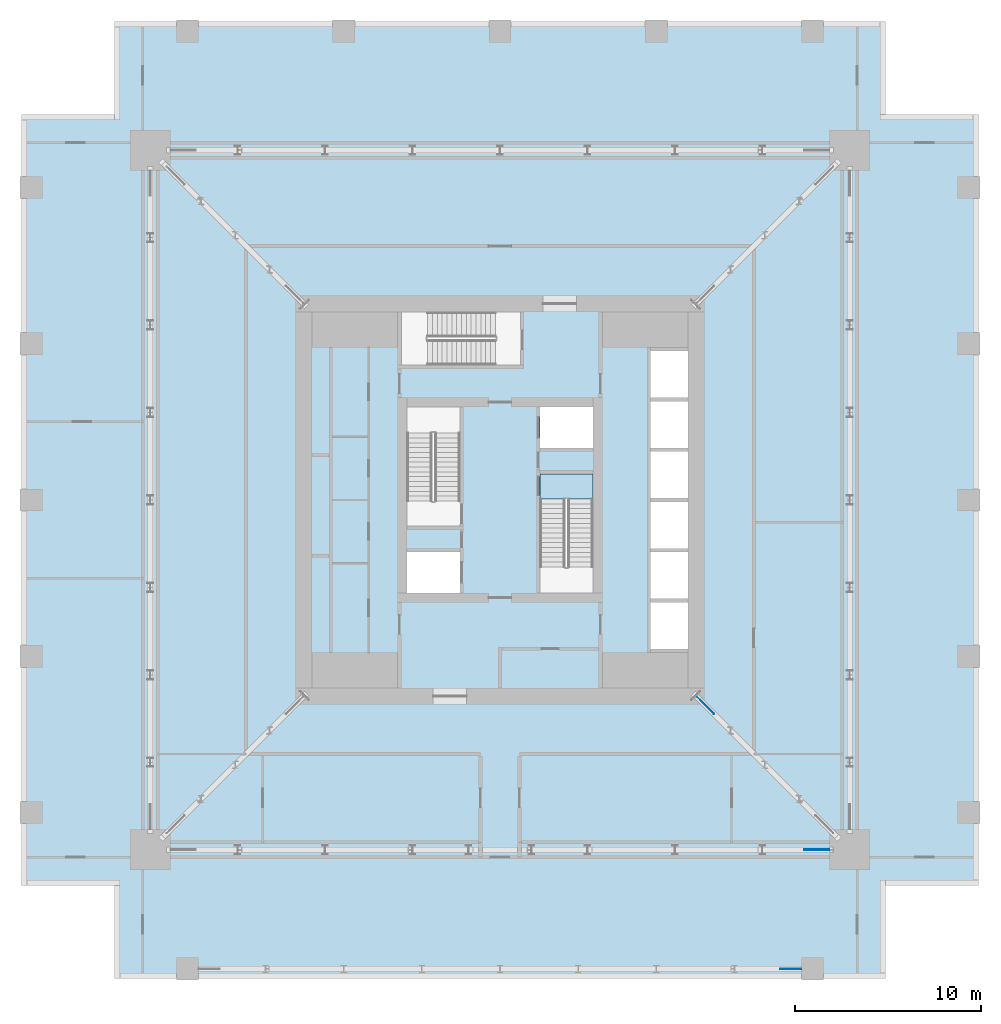
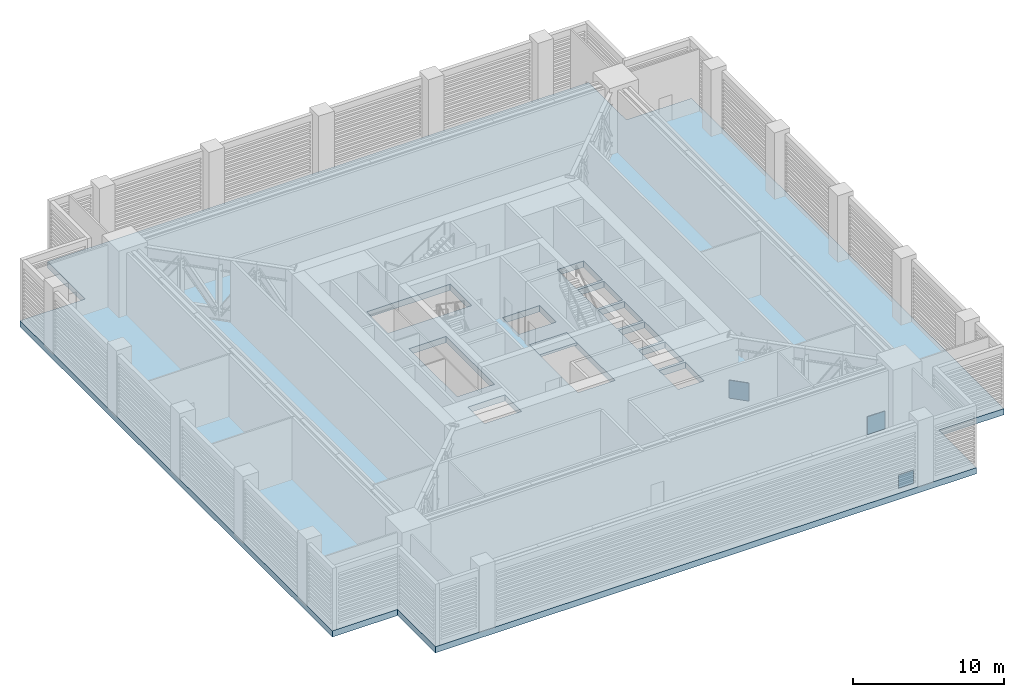
# One storey, part 6 of 16: 3 plates, 2 slabs, 1 element without a shape of its own.
"""IFC4 building model written with IfcOpenShell, lengths in metres."""

from ifc_helpers import new_model, si_unit, direction, frame, origin, origin_2d, place, context, subcontext, project, spatial, polyline, rectangle, outline, extrude, material, layer, layer_set, type_object, element, aggregate, save


model = new_model("IFC4")

# Units and contexts
model_context = context("Model", 3, precision=1e-05, world=origin(), true_north=direction((0.0, 1.0)))
body_context = subcontext(model_context, "Body", "Model", "MODEL_VIEW")
ifc_project = project(units=[si_unit("LENGTHUNIT", "METRE"), si_unit("AREAUNIT", "SQUARE_METRE"), si_unit("VOLUMEUNIT", "CUBIC_METRE"), si_unit("PLANEANGLEUNIT", "RADIAN"), si_unit("MASSUNIT", "GRAM", prefix="KILO")], contexts=[model_context])

# Site, building, storey
site_placement = place(None, origin())
site = spatial("IfcSite", under=ifc_project, at=site_placement, CompositionType="ELEMENT")
building_placement = place(site_placement, origin())
building = spatial("IfcBuilding", under=site, at=building_placement, Name="Khepri Terraces", CompositionType="ELEMENT")
storey_placement = place(building_placement, frame((0.0, 0.0, 287.39990234375)))
storey = spatial("IfcBuildingStorey", under=building, at=storey_placement, Name="L69", CompositionType="ELEMENT", Elevation=287.39990234375)

# Plates
ifc_material_1 = material(Name="Steel S355", Category="steel")
ifc_layer_1 = layer(ifc_material_1, 0.030029296875, Name="Steel S355", Category="steel")
ifc_layer_set_1 = layer_set([ifc_layer_1], Name="Steel S355")
plate_type_1 = type_object("IfcPlateType", Name="Gusset plate 1150x1150x30", PredefinedType="USERDEFINED", material=ifc_layer_set_1)
plate_placement = place(storey_placement, frame((15.625, -25.199951171875, -0.099853515625), z_axis=(0.0, 0.0, 1.0), x_axis=(1.0, 0.0, 0.0)))
element("IfcPlate", 1, at=plate_placement, inside=storey, type_object=plate_type_1, Name="GUSSET PLATE TT-69-S column node B", ObjectType="GUSSET PLATE", PredefinedType="USERDEFINED", context=body_context, shape_type="SweptSolid", body=[
    extrude(rectangle(XDim=1.14990234375, YDim=0.030029296875, at=origin_2d()), origin(), (0.0, 0.0, 1.0), 1.14990234375),
])
ifc_layer_2 = layer(ifc_material_1, 0.034912109375, Name="Steel S355", Category="steel")
ifc_layer_set_2 = layer_set([ifc_layer_2], Name="Steel S355")
plate_type_2 = type_object("IfcPlateType", Name="Gusset plate 1350x1550x35", PredefinedType="USERDEFINED", material=ifc_layer_set_2)
for number, where, z_axis, x_axis, name in (
    (2, (11.02734375, -11.02734375, -0.10009765625), (0.0, 0.0, 1.0), (0.707106781187, -0.707106781187, 0.0), "GUSSET PLATE OT-69-ES node A"),
    (3, (17.02490234375, -18.800048828125, -0.10009765625), (0.0, 0.0, 1.0), (1.0, 0.0, 0.0), "GUSSET PLATE BT-69-S column node B"),
):
    element("IfcPlate", number, at=place(storey_placement, frame(where, z_axis=z_axis, x_axis=x_axis)), inside=storey, type_object=plate_type_2, Name=name, ObjectType="GUSSET PLATE", PredefinedType="USERDEFINED", context=body_context, shape_type="SweptSolid", body=[
        extrude(rectangle(XDim=1.35009765625, YDim=0.034912109375, at=origin_2d()), origin(), (0.0, 0.0, 1.0), 1.550048828125),
    ])

# Slab
ifc_material_2 = material(Name="Concrete C40/50", Category="concrete")
ifc_layer_3 = layer(ifc_material_2, 0.5, Name="Concrete C40/50", Category="concrete")
ifc_layer_set_3 = layer_set([ifc_layer_3], Name="Concrete C40/50")
slab_type_1 = type_object("IfcSlabType", Name="Plant floor slab 500", PredefinedType="FLOOR", material=ifc_layer_set_3)
slab_1_placement = place(storey_placement, frame((0.0, 0.0, -0.5)))
element("IfcSlab", 4, at=slab_1_placement, inside=storey, type_object=slab_type_1, Name="Floor slab F01 L69", PredefinedType="FLOOR", context=body_context, shape_type="SweptSolid", body=[
    extrude(outline(polyline([(25.719970703125, 20.719970703125), (25.719970703125, -20.719970703125), (20.719970703125, -20.719970703125), (20.719970703125, -25.719970703125), (-20.719970703125, -25.719970703125), (-20.719970703125, -20.719970703125), (-25.719970703125, -20.719970703125), (-25.719970703125, 20.719970703125), (-20.719970703125, 20.719970703125), (-20.719970703125, 25.719970703125), (20.719970703125, 25.719970703125), (20.719970703125, 20.719970703125), (25.719970703125, 20.719970703125)]), holes=[polyline([(2.14990234375, 2.800048828125), (5.0, 2.800048828125), (5.0, 5.0), (2.14990234375, 5.0), (2.14990234375, 2.800048828125)]), polyline([(-5.0, -2.800048828125), (-5.0, -5.0), (-2.14990234375, -5.0), (-2.14990234375, -2.800048828125), (-5.0, -2.800048828125)]), polyline([(10.10009765625, -5.5), (8.10009765625, -5.5), (8.10009765625, -8.0), (10.10009765625, -8.0), (10.10009765625, -5.5)]), polyline([(10.10009765625, -5.300048828125), (10.10009765625, -2.800048828125), (8.10009765625, -2.800048828125), (8.10009765625, -5.300048828125), (10.10009765625, -5.300048828125)]), polyline([(8.10009765625, -2.60009765625), (10.10009765625, -2.60009765625), (10.10009765625, -0.10009765625), (8.10009765625, -0.10009765625), (8.10009765625, -2.60009765625)]), polyline([(8.10009765625, 2.60009765625), (8.10009765625, 0.10009765625), (10.10009765625, 0.10009765625), (10.10009765625, 2.60009765625), (8.10009765625, 2.60009765625)]), polyline([(10.10009765625, 5.300048828125), (8.10009765625, 5.300048828125), (8.10009765625, 2.800048828125), (10.10009765625, 2.800048828125), (10.10009765625, 5.300048828125)]), polyline([(10.10009765625, 5.5), (10.10009765625, 8.0), (8.10009765625, 8.0), (8.10009765625, 5.5), (10.10009765625, 5.5)]), polyline([(-5.0, -1.39990234375), (-2.14990234375, -1.39990234375), (-2.14990234375, 5.0), (-5.0, 5.0), (-5.0, -1.39990234375)]), polyline([(5.0, -5.0), (5.0, 1.39990234375), (2.14990234375, 1.39990234375), (2.14990234375, -5.0), (5.0, -5.0)]), polyline([(-5.300048828125, 10.10009765625), (-5.300048828125, 7.25), (1.10009765625, 7.25), (1.10009765625, 10.10009765625), (-5.300048828125, 10.10009765625)])]), origin(), (0.0, 0.0, 1.0), 0.5),
])

# Stair, slab
stair_type = type_object("IfcStairType", Name="STAIR-RC-30R", PredefinedType="HALF_TURN_STAIR", material=ifc_material_2)
stair_placement = place(storey_placement, origin())
stair = element("IfcStair", 5, at=stair_placement, inside=storey, type_object=stair_type, Name="L69 Exit Stair ST-2", PredefinedType="HALF_TURN_STAIR")
ifc_layer_4 = layer(ifc_material_2, 0.199951171875, Name="Concrete C40/50", Category="concrete")
ifc_layer_set_4 = layer_set([ifc_layer_4], Name="Concrete C40/50")
slab_type_2 = type_object("IfcSlabType", Name="SLB-CORE-LANDING", PredefinedType="LANDING", material=ifc_layer_set_4)
slab_2_placement = place(storey_placement, frame((0.0, 0.0, -0.199951171875)))
slab_2 = element("IfcSlab", 6, at=slab_2_placement, type_object=slab_type_2, Name="ST-2 landing 1", PredefinedType="LANDING", context=body_context, shape_type="SweptSolid", body=[
    extrude(outline(polyline([(2.14990234375, 1.39990234375), (2.14990234375, 0.050048828125), (5.0, 0.050048828125), (5.0, 1.39990234375), (2.14990234375, 1.39990234375)])), origin(), (0.0, 0.0, 1.0), 0.199951171875),
])
aggregate(stair, [slab_2])

save(model, "model.ifc")
